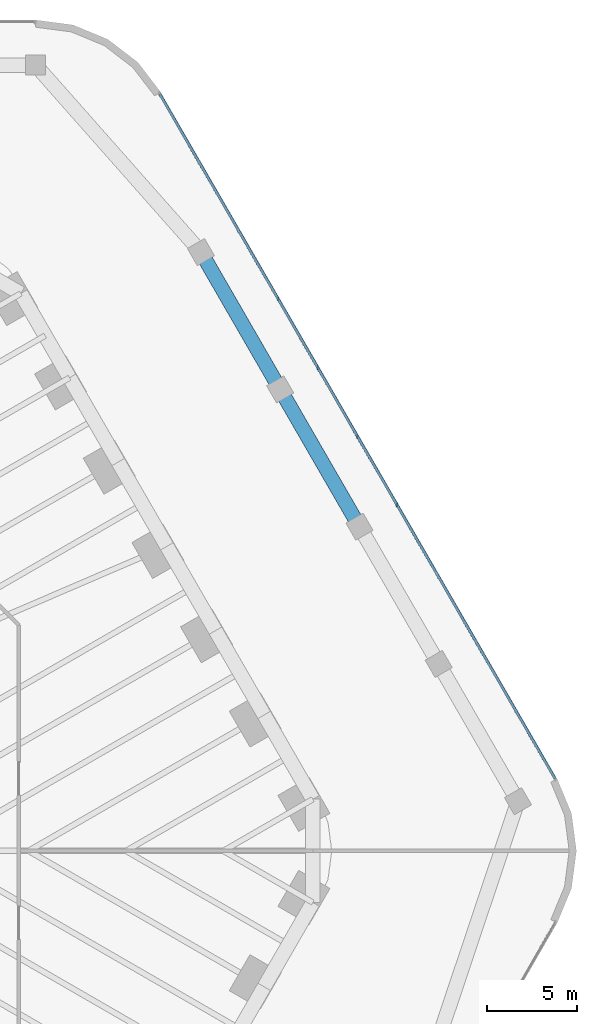
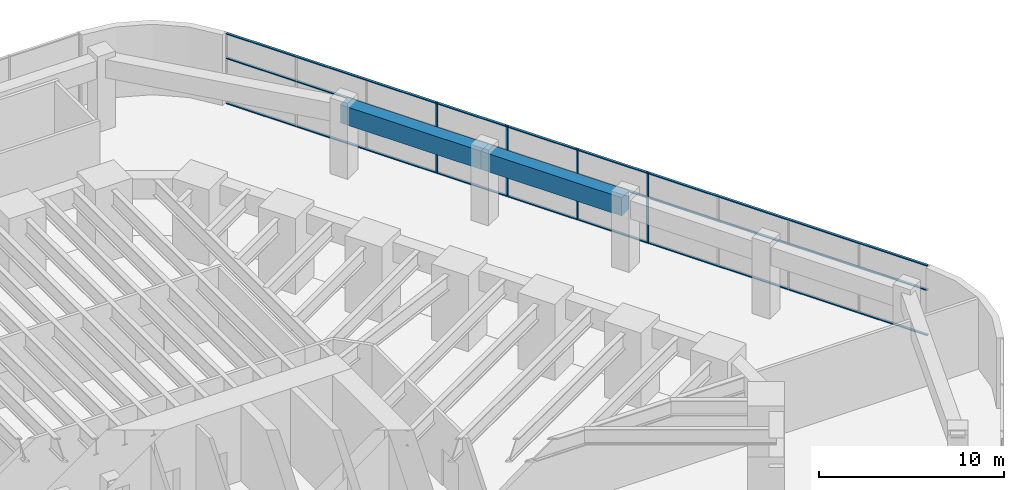
# One storey, part 21 of 31: 7 members, 2 beams, 1 element without a shape of its own.
"""IFC4 building model written with IfcOpenShell, lengths in metres."""

from ifc_helpers import new_model, si_unit, direction, frame, origin, origin_2d, place, context, subcontext, project, spatial, rectangle, extrude, material, material_profile, profile_set, type_object, element, aggregate, save


model = new_model("IFC4")

# Units and contexts
model_context = context("Model", 3, precision=1e-05, world=origin(), true_north=direction((0.0, 1.0)))
body_context = subcontext(model_context, "Body", "Model", "MODEL_VIEW")
ifc_project = project(units=[si_unit("LENGTHUNIT", "METRE"), si_unit("AREAUNIT", "SQUARE_METRE"), si_unit("VOLUMEUNIT", "CUBIC_METRE"), si_unit("PLANEANGLEUNIT", "RADIAN"), si_unit("MASSUNIT", "GRAM", prefix="KILO")], contexts=[model_context])

# Site, building, storey
site_placement = place(None, origin())
site = spatial("IfcSite", under=ifc_project, at=site_placement, CompositionType="ELEMENT")
building_placement = place(site_placement, origin())
building = spatial("IfcBuilding", under=site, at=building_placement, Name="Tarfa Lantern Tower", CompositionType="ELEMENT")
storey_placement = place(building_placement, frame((0.0, 0.0, 18.5)))
storey = spatial("IfcBuildingStorey", under=building, at=storey_placement, Name="L03", CompositionType="ELEMENT", Elevation=18.5)

# Curtain wall, members
ifc_material_1 = material(Name="Aluminium framed curtain wall", Category="aluminium")
curtain_wall_type = type_object("IfcCurtainWallType", Name="CW7 PODIUM GLAZING 4650", PredefinedType="USERDEFINED", material=ifc_material_1)
curtain_wall_placement = place(storey_placement, origin())
curtain_wall = element("IfcCurtainWall", 1, at=curtain_wall_placement, inside=storey, type_object=curtain_wall_type, Name="CW7 NE L03", ObjectType="CURTAIN WALL", PredefinedType="USERDEFINED")
ifc_material_2 = material(Name="Aluminium mullion", Category="aluminium")
ifc_material_profile_1 = material_profile(ifc_material_2, rectangle(XDim=0.06494140625, YDim=0.199951171875, at=origin_2d()), Name="AL MULLION 65x200")
ifc_profile_set_1 = profile_set([ifc_material_profile_1], Name="Aluminium mullion")
member_type_1 = type_object("IfcMemberType", Name="CWM1 MULLION 65x200", PredefinedType="MULLION", material=ifc_profile_set_1)
member_1_placement = place(storey_placement, frame((41.944580078125, 19.14990234375, 0.0), z_axis=(0.0, 0.0, 1.0), x_axis=(1.0, 0.0, 0.0)))
member_1 = element("IfcMember", 2, at=member_1_placement, type_object=member_type_1, Name="CW7 mullion 5", PredefinedType="MULLION", context=body_context, shape_type="SweptSolid", body=[
    extrude(rectangle(XDim=0.06494140625, YDim=0.199951171875, at=origin_2d()), origin(), (0.0, 0.0, 1.0), 4.64990234375),
])
member_2_placement = place(storey_placement, frame((39.75048828125, 22.949951171875, 0.0), z_axis=(0.0, 0.0, 1.0), x_axis=(1.0, 0.0, 0.0)))
member_2 = element("IfcMember", 3, at=member_2_placement, type_object=member_type_1, Name="CW7 mullion 6", PredefinedType="MULLION", context=body_context, shape_type="SweptSolid", body=[
    extrude(rectangle(XDim=0.06494140625, YDim=0.199951171875, at=origin_2d()), origin(), (0.0, 0.0, 1.0), 4.64990234375),
])
member_3_placement = place(storey_placement, frame((37.556640625, 26.75, 0.0), z_axis=(0.0, 0.0, 1.0), x_axis=(1.0, 0.0, 0.0)))
member_3 = element("IfcMember", 4, at=member_3_placement, type_object=member_type_1, Name="CW7 mullion 7", PredefinedType="MULLION", context=body_context, shape_type="SweptSolid", body=[
    extrude(rectangle(XDim=0.06494140625, YDim=0.199951171875, at=origin_2d()), origin(), (0.0, 0.0, 1.0), 4.64990234375),
])
member_4_placement = place(storey_placement, frame((35.36279296875, 30.550048828125, 0.0), z_axis=(0.0, 0.0, 1.0), x_axis=(1.0, 0.0, 0.0)))
member_4 = element("IfcMember", 5, at=member_4_placement, type_object=member_type_1, Name="CW7 mullion 8", PredefinedType="MULLION", context=body_context, shape_type="SweptSolid", body=[
    extrude(rectangle(XDim=0.06494140625, YDim=0.199951171875, at=origin_2d()), origin(), (0.0, 0.0, 1.0), 4.64990234375),
])
ifc_material_3 = material(Name="Aluminium transom", Category="aluminium")
ifc_material_profile_2 = material_profile(ifc_material_3, rectangle(XDim=0.14990234375, YDim=0.06494140625, at=origin_2d()), Name="AL TRANSOM 150x65")
ifc_profile_set_2 = profile_set([ifc_material_profile_2], Name="Aluminium transom")
member_type_2 = type_object("IfcMemberType", Name="CWT1 TRANSOM 150x65", PredefinedType="USERDEFINED", material=ifc_profile_set_2)
member_5_placement = place(storey_placement, frame((50.687744140625, 4.00634765625, 0.032470703125), z_axis=(-0.499998927597, 0.866026022936, 0.0), x_axis=(-0.866026022936, -0.499998927597, 0.0)))
member_5 = element("IfcMember", 6, at=member_5_placement, type_object=member_type_2, Name="CW7 transom 1.1", ObjectType="TRANSOM", PredefinedType="USERDEFINED", context=body_context, shape_type="SweptSolid", body=[
    extrude(rectangle(XDim=0.14990234375, YDim=0.06494140625, at=origin_2d()), origin(), (0.0, 0.0, 1.0), 43.74853515625),
])
member_6_placement = place(storey_placement, frame((50.687744140625, 4.00634765625, 3.0), z_axis=(-0.499998927597, 0.866026022936, 0.0), x_axis=(-0.866026022936, -0.499998927597, 0.0)))
member_6 = element("IfcMember", 7, at=member_6_placement, type_object=member_type_2, Name="CW7 transom 1.2", ObjectType="TRANSOM", PredefinedType="USERDEFINED", context=body_context, shape_type="SweptSolid", body=[
    extrude(rectangle(XDim=0.14990234375, YDim=0.06494140625, at=origin_2d()), origin(), (0.0, 0.0, 1.0), 43.74853515625),
])
member_7_placement = place(storey_placement, frame((50.687744140625, 4.00634765625, 4.617431640625), z_axis=(-0.499998927597, 0.866026022936, 0.0), x_axis=(-0.866026022936, -0.499998927597, 0.0)))
member_7 = element("IfcMember", 8, at=member_7_placement, type_object=member_type_2, Name="CW7 transom 1.3", ObjectType="TRANSOM", PredefinedType="USERDEFINED", context=body_context, shape_type="SweptSolid", body=[
    extrude(rectangle(XDim=0.14990234375, YDim=0.06494140625, at=origin_2d()), origin(), (0.0, 0.0, 1.0), 43.74853515625),
])
aggregate(curtain_wall, [member_1, member_2, member_3, member_4, member_5, member_6, member_7])

# Beams
ifc_material_4 = material(Name="Concrete C80/95", Category="concrete")
ifc_material_profile_3 = material_profile(ifc_material_4, rectangle(XDim=0.800048828125, YDim=1.199951171875, at=origin_2d()), Name="RC 800x1200")
ifc_profile_set_3 = profile_set([ifc_material_profile_3], Name="Concrete C80/95")
beam_type = type_object("IfcBeamType", Name="PB2 RC 800x1200", PredefinedType="BEAM", material=ifc_profile_set_3)
for number, where, z_axis, x_axis, name in (
    (9, (39.865966796875, 17.949951171875, 4.050048828125), (-0.499980931779, 0.866036412547, 0.0), (-0.866036412547, -0.499980931779, 0.0), "Podium ring beam NE2"),
    (10, (35.478271484375, 25.550048828125, 4.050048828125), (-0.500013843384, 0.866017411155, 0.0), (-0.866017411155, -0.500013843384, 0.0), "Podium ring beam NE3"),
):
    element("IfcBeam", number, at=place(storey_placement, frame(where, z_axis=z_axis, x_axis=x_axis)), inside=storey, type_object=beam_type, Name=name, PredefinedType="BEAM", context=body_context, shape_type="SweptSolid", body=[
        extrude(rectangle(XDim=0.800048828125, YDim=1.199951171875, at=origin_2d()), origin(), (0.0, 0.0, 1.0), 8.775634765625),
    ])

save(model, "model.ifc")
